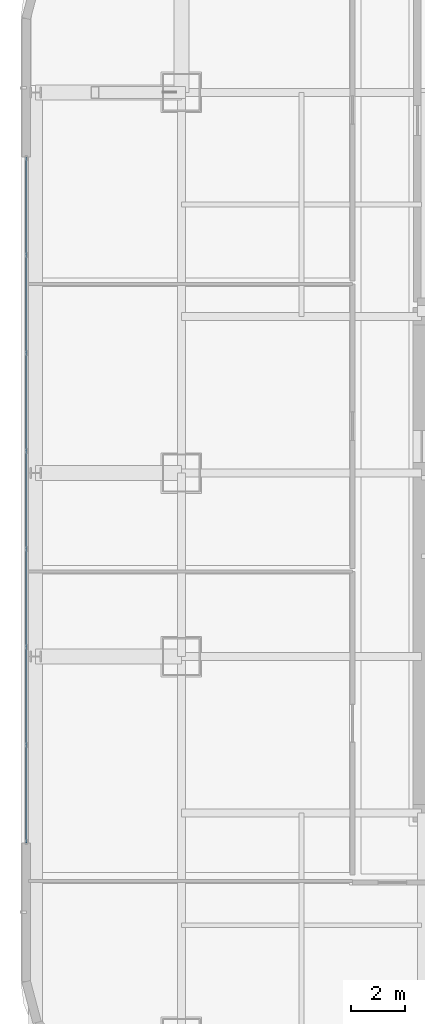
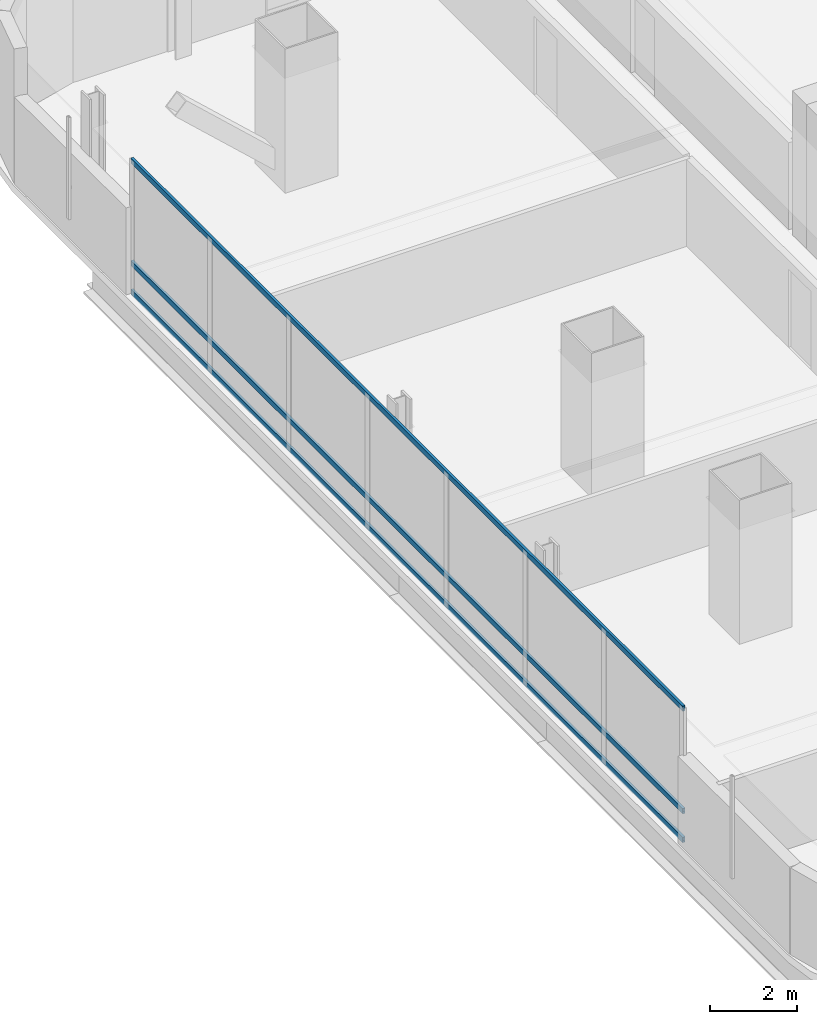
# One storey, part 10 of 47: 3 members, 1 element without a shape of its own.
"""IFC4 building model written with IfcOpenShell, lengths in metres."""

from ifc_helpers import new_model, si_unit, direction, frame, origin, origin_2d, place, context, subcontext, project, spatial, hollow_rectangle, extrude, material, material_profile, profile_set, type_object, element, aggregate, save


model = new_model("IFC4")

# Units and contexts
model_context = context("Model", 3, precision=1e-05, world=origin(), true_north=direction((0.0, 1.0)))
body_context = subcontext(model_context, "Body", "Model", "MODEL_VIEW")
ifc_project = project(units=[si_unit("LENGTHUNIT", "METRE"), si_unit("AREAUNIT", "SQUARE_METRE"), si_unit("VOLUMEUNIT", "CUBIC_METRE"), si_unit("PLANEANGLEUNIT", "RADIAN"), si_unit("MASSUNIT", "GRAM", prefix="KILO")], contexts=[model_context])

# Site, building, storey
site_placement = place(None, origin())
site = spatial("IfcSite", under=ifc_project, at=site_placement, CompositionType="ELEMENT")
building_placement = place(site_placement, origin())
building = spatial("IfcBuilding", under=site, at=building_placement, Name="Punatoya Terracotta Tower", CompositionType="ELEMENT")
storey_placement = place(building_placement, frame((0.0, 0.0, 168.14990234375)))
storey = spatial("IfcBuildingStorey", under=building, at=storey_placement, Name="L39", CompositionType="ELEMENT", Elevation=168.14990234375)

# Curtain wall, members
ifc_material_1 = material(Name="Aluminium 6063-T6 + Double Low-E Glass", Category="aluminium")
curtain_wall_type = type_object("IfcCurtainWallType", Name="CW-M2", PredefinedType="NOTDEFINED", material=ifc_material_1)
curtain_wall_placement = place(storey_placement, origin())
curtain_wall = element("IfcCurtainWall", 1, at=curtain_wall_placement, inside=storey, type_object=curtain_wall_type, Name="L39 Curtain Wall CW-L39-W13-1", PredefinedType="NOTDEFINED")
ifc_material_2 = material(Name="Aluminium 6063-T6", Category="aluminium")
ifc_material_profile = material_profile(ifc_material_2, hollow_rectangle(XDim=0.068115234375, YDim=0.14990234375, WallThickness=0.00390625, at=origin_2d()))
ifc_profile_set = profile_set([ifc_material_profile], Name="Aluminium 6063-T6")
member_type = type_object("IfcMemberType", Name="CW-TRN-TYP", PredefinedType="USERDEFINED", material=ifc_profile_set)
member_1_placement = place(storey_placement, frame((-24.85009765625, 15.10009765625, 0.0400390625), z_axis=(0.0, -1.0, 0.0), x_axis=(1.0, 0.0, 0.0)))
member_1 = element("IfcMember", 2, at=member_1_placement, type_object=member_type, Name="CW-L39-W13-1 Transom 1", ObjectType="TRANSOM", PredefinedType="USERDEFINED", context=body_context, shape_type="SweptSolid", body=[
    extrude(hollow_rectangle(XDim=0.068115234375, YDim=0.14990234375, WallThickness=0.00390625, at=origin_2d()), origin(), (0.0, 0.0, 1.0), 25.400146484375),
])
member_2_placement = place(storey_placement, frame((-24.85009765625, 15.10009765625, 0.85009765625), z_axis=(0.0, -1.0, 0.0), x_axis=(1.0, 0.0, 0.0)))
member_2 = element("IfcMember", 3, at=member_2_placement, type_object=member_type, Name="CW-L39-W13-1 Transom 2", ObjectType="TRANSOM", PredefinedType="USERDEFINED", context=body_context, shape_type="SweptSolid", body=[
    extrude(hollow_rectangle(XDim=0.068115234375, YDim=0.14990234375, WallThickness=0.00390625, at=origin_2d()), origin(), (0.0, 0.0, 1.0), 25.400146484375),
])
member_3_placement = place(storey_placement, frame((-24.85009765625, 15.10009765625, 3.72998046875), z_axis=(0.0, -1.0, 0.0), x_axis=(1.0, 0.0, 0.0)))
member_3 = element("IfcMember", 4, at=member_3_placement, type_object=member_type, Name="CW-L39-W13-1 Transom 3", ObjectType="TRANSOM", PredefinedType="USERDEFINED", context=body_context, shape_type="SweptSolid", body=[
    extrude(hollow_rectangle(XDim=0.068115234375, YDim=0.14990234375, WallThickness=0.00390625, at=origin_2d()), origin(), (0.0, 0.0, 1.0), 25.400146484375),
])
aggregate(curtain_wall, [member_1, member_2, member_3])

save(model, "model.ifc")
